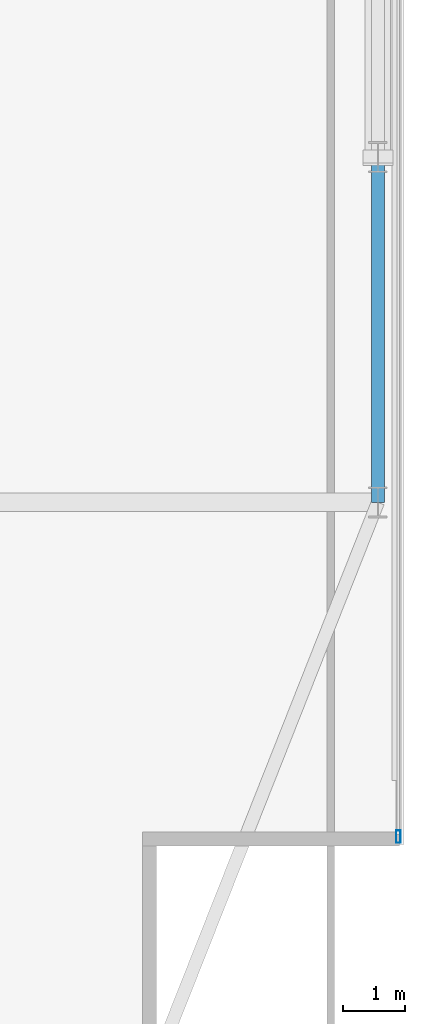
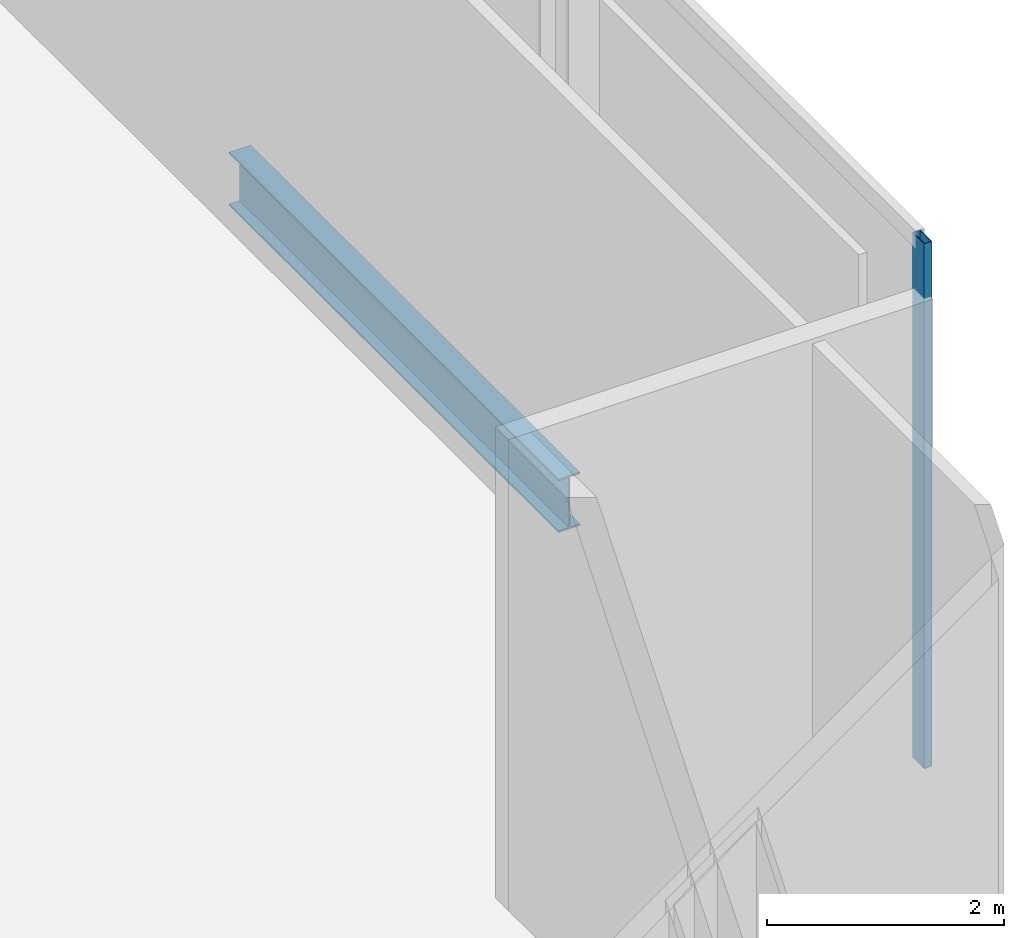
# One storey, part 12 of 22: 1 beam, 1 member, 1 element without a shape of its own.
"""IFC4 building model written with IfcOpenShell, lengths in metres."""

from ifc_helpers import new_model, si_unit, direction, frame, origin, origin_2d, place, context, subcontext, project, spatial, hollow_rectangle, i_section, extrude, material, material_profile, profile_set, type_object, element, aggregate, save


model = new_model("IFC4")

# Units and contexts
model_context = context("Model", 3, precision=1e-05, world=origin(), true_north=direction((0.0, 1.0)))
body_context = subcontext(model_context, "Body", "Model", "MODEL_VIEW")
ifc_project = project(units=[si_unit("LENGTHUNIT", "METRE"), si_unit("AREAUNIT", "SQUARE_METRE"), si_unit("VOLUMEUNIT", "CUBIC_METRE"), si_unit("PLANEANGLEUNIT", "RADIAN"), si_unit("MASSUNIT", "GRAM", prefix="KILO")], contexts=[model_context])

# Site, building, storey
site_placement = place(None, origin())
site = spatial("IfcSite", under=ifc_project, at=site_placement, CompositionType="ELEMENT")
building_placement = place(site_placement, origin())
building = spatial("IfcBuilding", under=site, at=building_placement, Name="Khoronbel Lancet Exchange", CompositionType="ELEMENT")
storey_placement = place(building_placement, frame((0.0, 0.0, 373.0)))
storey = spatial("IfcBuildingStorey", under=building, at=storey_placement, Name="L95", CompositionType="ELEMENT", Elevation=373.0)

# Beam
ifc_material_1 = material(Name="Steel S355", Category="steel")
ifc_material_profile_1 = material_profile(ifc_material_1, i_section(OverallWidth=0.2099609375, OverallDepth=0.550048828125, WebThickness=0.010986328125, FlangeThickness=0.01708984375, at=origin_2d()), Name="IPE 550")
ifc_profile_set_1 = profile_set([ifc_material_profile_1], Name="Steel S355")
beam_type = type_object("IfcBeamType", Name="BM-BSP3", PredefinedType="SPANDREL", material=ifc_profile_set_1)
beam_placement = place(storey_placement, frame((61.6298828125, 19.199951171875, -0.47509765625), z_axis=(0.0, 1.0, 0.0), x_axis=(-1.0, 0.0, 0.0)))
element("IfcBeam", 1, at=beam_placement, inside=storey, type_object=beam_type, Name="Level L95 perimeter spandrel beam SP09", PredefinedType="SPANDREL", context=body_context, shape_type="SweptSolid", body=[
    extrude(i_section(OverallWidth=0.2099609375, OverallDepth=0.550048828125, WebThickness=0.010986328125, FlangeThickness=0.01708984375, at=origin_2d()), origin(), (0.0, 0.0, 1.0), 5.550048828125),
])

# Curtain wall, member
ifc_material_2 = material(Name="Low-E Solar Control Insulating Glass", Category="glass")
curtain_wall_type = type_object("IfcCurtainWallType", Name="CW-6", PredefinedType="NOTDEFINED", material=ifc_material_2)
curtain_wall_placement = place(storey_placement, origin())
curtain_wall = element("IfcCurtainWall", 2, at=curtain_wall_placement, inside=storey, type_object=curtain_wall_type, Name="Unitised curtain wall CW-L95-E09", PredefinedType="NOTDEFINED")
ifc_material_3 = material(Name="Bronze-Anodised Aluminium 6063-T6", Category="aluminium")
ifc_material_profile_2 = material_profile(ifc_material_3, hollow_rectangle(XDim=0.074951171875, YDim=0.199951171875, WallThickness=0.0048828125, at=origin_2d()), Name="ALU MULLION 75x200")
ifc_profile_set_2 = profile_set([ifc_material_profile_2], Name="Bronze-Anodised Aluminium 6063-T6")
member_type = type_object("IfcMemberType", Name="MEM-CWM2", PredefinedType="MULLION", material=ifc_profile_set_2)
member_placement = place(storey_placement, frame((61.9599609375, 13.827392578125, 0.0), z_axis=(0.0, 0.0, 1.0), x_axis=(1.0, 0.0, 0.0)))
member = element("IfcMember", 3, at=member_placement, type_object=member_type, Name="CW6 mullion 3", PredefinedType="MULLION", context=body_context, shape_type="SweptSolid", body=[
    extrude(hollow_rectangle(XDim=0.074951171875, YDim=0.199951171875, WallThickness=0.0048828125, at=origin_2d()), origin(), (0.0, 0.0, 1.0), 5.39990234375),
])
aggregate(curtain_wall, [member])

save(model, "model.ifc")
